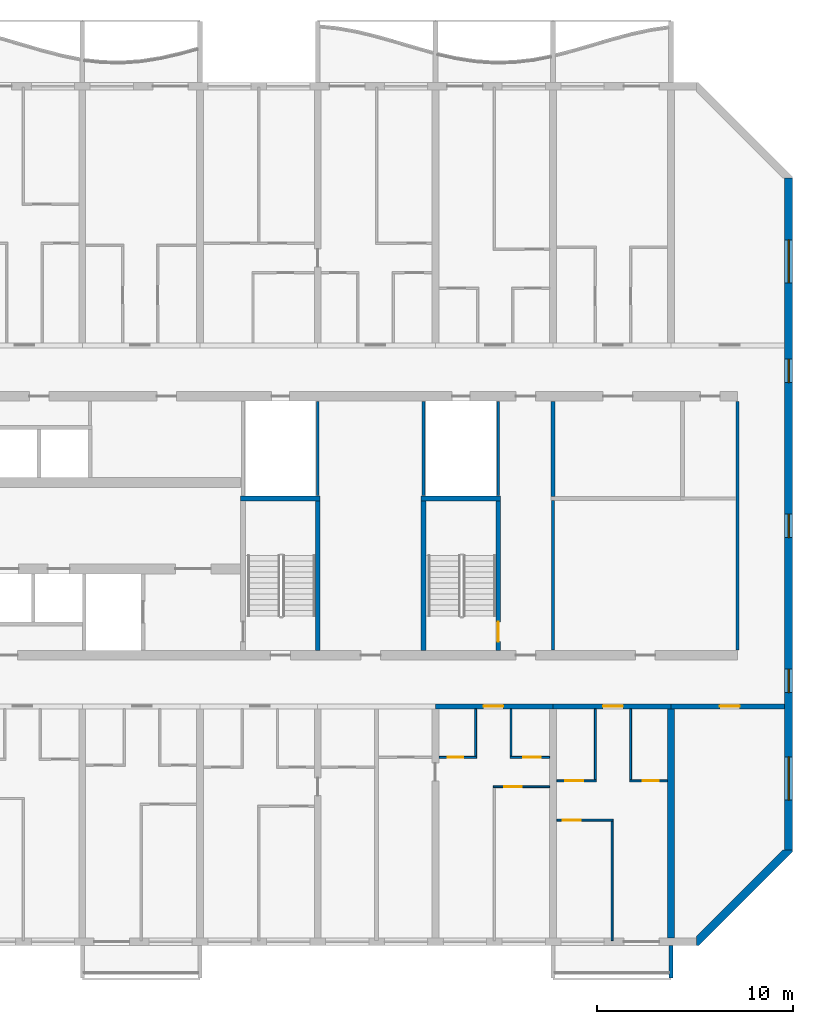
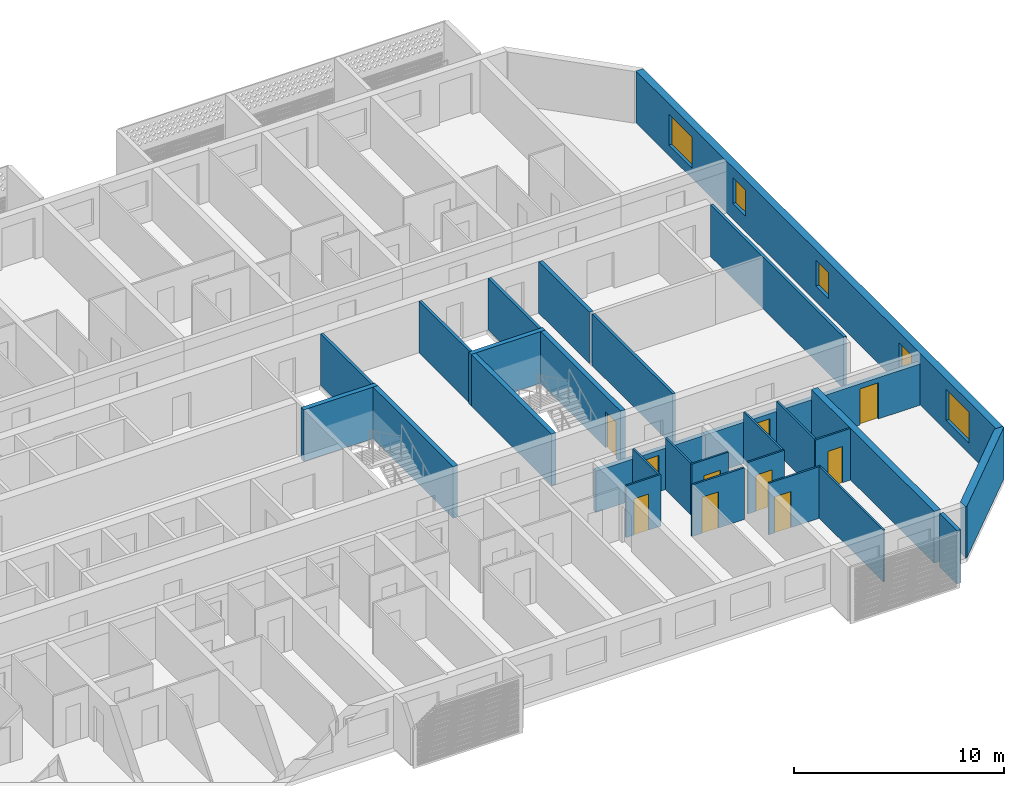
# One storey, part 13 of 24: 29 walls, 10 doors, 5 windows, 15 openings.
"""IFC4 building model written with IfcOpenShell, lengths in metres."""

from ifc_helpers import new_model, si_unit, direction, frame, frame_2d, origin, place, context, subcontext, project, spatial, polyline, rectangle, outline, extrude, source, transform, mapped, material, layer, layer_set, type_object, element, fill, save


model = new_model("IFC4")

# Units and contexts
model_context = context("Model", 3, precision=1e-05, world=origin(), true_north=direction((0.0, 1.0)))
body_context = subcontext(model_context, "Body", "Model", "MODEL_VIEW")
ifc_project = project(units=[si_unit("LENGTHUNIT", "METRE"), si_unit("AREAUNIT", "SQUARE_METRE"), si_unit("VOLUMEUNIT", "CUBIC_METRE"), si_unit("PLANEANGLEUNIT", "RADIAN"), si_unit("MASSUNIT", "GRAM", prefix="KILO")], contexts=[model_context])

# Site, building, storey
site_placement = place(None, origin())
site = spatial("IfcSite", under=ifc_project, at=site_placement, CompositionType="ELEMENT")
building_placement = place(site_placement, origin())
building = spatial("IfcBuilding", under=site, at=building_placement, Name="Poui Terraces", CompositionType="ELEMENT")
storey_placement = place(building_placement, frame((0.0, 0.0, 102.60009765625)))
storey = spatial("IfcBuildingStorey", under=building, at=storey_placement, Name="L28", CompositionType="ELEMENT", Elevation=102.60009765625)

# Walls
ifc_material_1 = material(Name="Fire-rated plasterboard wall")
ifc_layer_1 = layer(ifc_material_1, 0.14990234375)
ifc_layer_set_1 = layer_set([ifc_layer_1], Name="Fire-rated plasterboard wall")
wall_type_1 = type_object("IfcWallType", Name="CORRIDOR WALL 150", PredefinedType="PARTITIONING", material=ifc_layer_set_1)
wall_1_placement = place(storey_placement, frame((84.0, 14.860107421875, 0.0), z_axis=(0.0, 0.0, 1.0), x_axis=(0.0, 1.0, 0.0)))
element("IfcWall", 1, at=wall_1_placement, inside=storey, type_object=wall_type_1, Name="CORRIDOR WALL 150", PredefinedType="PARTITIONING", context=body_context, shape_type="SweptSolid", body=[
    extrude(rectangle(XDim=7.639892578125, YDim=0.14990234375, at=frame_2d((3.81982421875, 0.0))), origin(), (0.0, 0.0, 1.0), 3.0),
])
wall_2_placement = place(storey_placement, frame((93.39990234375, 14.860107421875, 0.0), z_axis=(0.0, 0.0, 1.0), x_axis=(0.0, 1.0, 0.0)))
element("IfcWall", 2, at=wall_2_placement, inside=storey, type_object=wall_type_1, Name="CORRIDOR WALL 150", PredefinedType="PARTITIONING", context=body_context, shape_type="SweptSolid", body=[
    extrude(rectangle(XDim=12.679931640625, YDim=0.14990234375, at=frame_2d((6.33984375, 0.0))), origin(), (0.0, 0.0, 1.0), 3.0),
])

# Wall, opening, door
ifc_material_2 = material(Name="Concrete 65 MPa", Category="concrete")
ifc_layer_2 = layer(ifc_material_2, 0.25)
ifc_layer_set_2 = layer_set([ifc_layer_2], Name="Concrete 65 MPa")
wall_type_2 = type_object("IfcWallType", Name="CORRIDOR WALL 250 65MPa", PredefinedType="SHEAR", material=ifc_layer_set_2)
wall_3_placement = place(storey_placement, frame((78.0, 12.0, 0.0), z_axis=(0.0, 0.0, 1.0), x_axis=(1.0, 0.0, 0.0)))
wall_3 = element("IfcWall", 3, at=wall_3_placement, inside=storey, type_object=wall_type_2, Name="CORRIDOR WALL LINE B BAY 13", PredefinedType="SHEAR", context=body_context, shape_type="SweptSolid", body=[
    extrude(rectangle(XDim=6.0, YDim=0.25, at=frame_2d((3.0, 0.0))), origin(), (0.0, 0.0, 1.0), 2.39990234375),
])
opening_1_placement = place(wall_3_placement, frame((2.449951171875, 0.0, 0.0)))
opening_1 = element("IfcOpeningElement", 4, at=opening_1_placement, cuts=wall_3, Name="Opening FD30S", PredefinedType="OPENING", context=body_context, shape_type="SweptSolid", body=[
    extrude(rectangle(XDim=1.0, YDim=2.10009765625, at=frame_2d((0.5, 1.050048828125))), frame((0.0, 0.135009765625, 0.0), z_axis=(0.0, -1.0, 0.0), x_axis=(1.0, 0.0, 0.0)), (0.0, 0.0, 1.0), 0.27001953125),
])
ifc_material_3 = material(Name="Steel fire door", Category="steel")
door_type_1 = type_object("IfcDoorType", Name="FLAT ENTRANCE DOOR 1000 X 2100", OperationType="NOTDEFINED", PredefinedType="DOOR", material=ifc_material_3)
door_1_placement = place(opening_1_placement, frame((1.0, 0.0, 0.0), z_axis=(0.0, 0.0, 1.0), x_axis=(-1.0, 0.0, 0.0)))
door_1 = element("IfcDoor", 5, at=door_1_placement, inside=storey, type_object=door_type_1, Name="FLAT ENTRANCE DOOR 124", OperationType="SINGLE_SWING_RIGHT", OverallHeight=2.10009765625, OverallWidth=1.0, PredefinedType="DOOR", context=body_context, shape_type="SweptSolid", body=[
    extrude(rectangle(XDim=1.0, YDim=2.10009765625, at=frame_2d((0.5, 1.050048828125))), frame((0.0, 0.02490234375, 0.0), z_axis=(0.0, -1.0, 0.0), x_axis=(1.0, 0.0, 0.0)), (0.0, 0.0, 1.0), 0.050048828125),
])
fill(opening_1, door_1)

wall_4_placement = place(storey_placement, frame((84.0, 12.0, 0.0), z_axis=(0.0, 0.0, 1.0), x_axis=(1.0, 0.0, 0.0)))
wall_4 = element("IfcWall", 6, at=wall_4_placement, inside=storey, type_object=wall_type_2, Name="CORRIDOR WALL LINE B BAY 14", PredefinedType="SHEAR", context=body_context, shape_type="SweptSolid", body=[
    extrude(rectangle(XDim=6.0, YDim=0.25, at=frame_2d((3.0, 0.0))), origin(), (0.0, 0.0, 1.0), 2.39990234375),
])
opening_2_placement = place(wall_4_placement, frame((2.550048828125, 0.0, 0.0)))
opening_2 = element("IfcOpeningElement", 7, at=opening_2_placement, cuts=wall_4, Name="Opening FD30S", PredefinedType="OPENING", context=body_context, shape_type="SweptSolid", body=[
    extrude(rectangle(XDim=1.0, YDim=2.10009765625, at=frame_2d((0.5, 1.050048828125))), frame((0.0, 0.135009765625, 0.0), z_axis=(0.0, -1.0, 0.0), x_axis=(1.0, 0.0, 0.0)), (0.0, 0.0, 1.0), 0.27001953125),
])
door_2_placement = place(opening_2_placement, frame((1.0, 0.0, 0.0), z_axis=(0.0, 0.0, 1.0), x_axis=(-1.0, 0.0, 0.0)))
door_2 = element("IfcDoor", 8, at=door_2_placement, inside=storey, type_object=door_type_1, Name="FLAT ENTRANCE DOOR 129", OperationType="SINGLE_SWING_LEFT", OverallHeight=2.10009765625, OverallWidth=1.0, PredefinedType="DOOR", context=body_context, shape_type="SweptSolid", body=[
    extrude(rectangle(XDim=1.0, YDim=2.10009765625, at=frame_2d((0.5, 1.050048828125))), frame((0.0, 0.02490234375, 0.0), z_axis=(0.0, -1.0, 0.0), x_axis=(1.0, 0.0, 0.0)), (0.0, 0.0, 1.0), 0.050048828125),
])
fill(opening_2, door_2)

wall_5_placement = place(storey_placement, frame((90.0, 12.0, 0.0), z_axis=(0.0, 0.0, 1.0), x_axis=(1.0, 0.0, 0.0)))
wall_5 = element("IfcWall", 9, at=wall_5_placement, inside=storey, type_object=wall_type_2, Name="CORRIDOR WALL LINE B BAY 15", PredefinedType="SHEAR", context=body_context, shape_type="SweptSolid", body=[
    extrude(rectangle(XDim=5.800048828125, YDim=0.25, at=frame_2d((2.89990234375, 0.0))), origin(), (0.0, 0.0, 1.0), 2.39990234375),
])
opening_3_placement = place(wall_5_placement, frame((2.5, 0.0, 0.0)))
opening_3 = element("IfcOpeningElement", 10, at=opening_3_placement, cuts=wall_5, Name="Opening D100", PredefinedType="OPENING", context=body_context, shape_type="SweptSolid", body=[
    extrude(rectangle(XDim=1.0, YDim=2.10009765625, at=frame_2d((0.5, 1.050048828125))), frame((0.0, 0.135009765625, 0.0), z_axis=(0.0, -1.0, 0.0), x_axis=(1.0, 0.0, 0.0)), (0.0, 0.0, 1.0), 0.27001953125),
])
ifc_material_4 = material(Name="Solid core timber door", Category="wood")
door_type_2 = type_object("IfcDoorType", Name="ACCESSIBLE INTERNAL DOOR 1000 X 2100", OperationType="NOTDEFINED", PredefinedType="DOOR", material=ifc_material_4)
door_3_placement = place(opening_3_placement, frame((1.0, 0.0, 0.0), z_axis=(0.0, 0.0, 1.0), x_axis=(-1.0, 0.0, 0.0)))
door_3 = element("IfcDoor", 11, at=door_3_placement, inside=storey, type_object=door_type_2, Name="ACCESSIBLE INTERNAL DOOR 131", OperationType="SINGLE_SWING_RIGHT", OverallHeight=2.10009765625, OverallWidth=1.0, PredefinedType="DOOR", context=body_context, shape_type="SweptSolid", body=[
    extrude(rectangle(XDim=1.0, YDim=2.10009765625, at=frame_2d((0.5, 1.050048828125))), frame((0.0, 0.02490234375, 0.0), z_axis=(0.0, -1.0, 0.0), x_axis=(1.0, 0.0, 0.0)), (0.0, 0.0, 1.0), 0.050048828125),
])
fill(opening_3, door_3)

# Wall
ifc_layer_3 = layer(ifc_material_2, 0.35009765625)
ifc_layer_set_3 = layer_set([ifc_layer_3], Name="Concrete 65 MPa")
wall_type_3 = type_object("IfcWallType", Name="CROSS WALL 350 65MPa", PredefinedType="SHEAR", material=ifc_layer_set_3)
wall_6_placement = place(storey_placement, frame((90.0, 0.199951171875, 0.0), z_axis=(0.0, 0.0, 1.0), x_axis=(0.0, 1.0, 0.0)))
element("IfcWall", 12, at=wall_6_placement, inside=storey, type_object=wall_type_3, Name="CROSS WALL LINE 16 SOUTH", PredefinedType="SHEAR", context=body_context, shape_type="SweptSolid", body=[
    extrude(rectangle(XDim=11.675048828125, YDim=0.35009765625, at=frame_2d((5.83740234375, 0.0))), origin(), (0.0, 0.0, 1.0), 3.0),
])

# Wall, openings, windows
ifc_layer_4 = layer(ifc_material_2, 0.39990234375)
ifc_layer_set_4 = layer_set([ifc_layer_4], Name="Concrete 65 MPa")
wall_type_4 = type_object("IfcWallType", Name="END WALL 400 65MPa", PredefinedType="SHEAR", material=ifc_layer_set_4)
wall_7_placement = place(storey_placement, frame((96.0, 4.682861328125, 0.0), z_axis=(0.0, 0.0, 1.0), x_axis=(0.0, 1.0, 0.0)))
wall_7 = element("IfcWall", 13, at=wall_7_placement, inside=storey, type_object=wall_type_4, Name="END WALL EAST", PredefinedType="SHEAR", context=body_context, shape_type="SweptSolid", body=[
    extrude(rectangle(XDim=34.234375, YDim=0.39990234375, at=frame_2d((17.1171875, 0.0))), origin(), (0.0, 0.0, 1.0), 3.0),
])
opening_4_placement = place(wall_7_placement, frame((15.917236328125, 0.0, 0.89990234375)))
opening_4 = element("IfcOpeningElement", 14, at=opening_4_placement, cuts=wall_7, Name="Opening W2", PredefinedType="OPENING", context=body_context, shape_type="SweptSolid", body=[
    extrude(rectangle(XDim=1.199951171875, YDim=1.5, at=frame_2d((0.60009765625, 0.75))), frame((0.0, 0.2099609375, 0.0), z_axis=(0.0, -1.0, 0.0), x_axis=(1.0, 0.0, 0.0)), (0.0, 0.0, 1.0), 0.419921875),
])
opening_5_placement = place(wall_7_placement, frame((23.817138671875, 0.0, 0.89990234375)))
opening_5 = element("IfcOpeningElement", 15, at=opening_5_placement, cuts=wall_7, Name="Opening W2", PredefinedType="OPENING", context=body_context, shape_type="SweptSolid", body=[
    extrude(rectangle(XDim=1.199951171875, YDim=1.5, at=frame_2d((0.60009765625, 0.75))), frame((0.0, 0.2099609375, 0.0), z_axis=(0.0, -1.0, 0.0), x_axis=(1.0, 0.0, 0.0)), (0.0, 0.0, 1.0), 0.419921875),
])
opening_6_placement = place(wall_7_placement, frame((8.01708984375, 0.0, 0.89990234375)))
opening_6 = element("IfcOpeningElement", 16, at=opening_6_placement, cuts=wall_7, Name="Opening W2", PredefinedType="OPENING", context=body_context, shape_type="SweptSolid", body=[
    extrude(rectangle(XDim=1.199951171875, YDim=1.5, at=frame_2d((0.60009765625, 0.75))), frame((0.0, 0.2099609375, 0.0), z_axis=(0.0, -1.0, 0.0), x_axis=(1.0, 0.0, 0.0)), (0.0, 0.0, 1.0), 0.419921875),
])
opening_7_placement = place(wall_7_placement, frame((28.8935546875, 0.0, 0.60009765625)))
opening_7 = element("IfcOpeningElement", 17, at=opening_7_placement, cuts=wall_7, Name="Opening W3", PredefinedType="OPENING", context=body_context, shape_type="SweptSolid", body=[
    extrude(rectangle(XDim=2.199951171875, YDim=1.800048828125, at=frame_2d((1.10009765625, 0.89990234375))), frame((0.0, 0.2099609375, 0.0), z_axis=(0.0, -1.0, 0.0), x_axis=(1.0, 0.0, 0.0)), (0.0, 0.0, 1.0), 0.419921875),
])
opening_8_placement = place(wall_7_placement, frame((2.541015625, 0.0, 0.60009765625)))
opening_8 = element("IfcOpeningElement", 18, at=opening_8_placement, cuts=wall_7, Name="Opening W3", PredefinedType="OPENING", context=body_context, shape_type="SweptSolid", body=[
    extrude(rectangle(XDim=2.199951171875, YDim=1.800048828125, at=frame_2d((1.10009765625, 0.89990234375))), frame((0.0, 0.2099609375, 0.0), z_axis=(0.0, -1.0, 0.0), x_axis=(1.0, 0.0, 0.0)), (0.0, 0.0, 1.0), 0.419921875),
])
ifc_material_5 = material(Name="Clear glass in aluminium frame", Category="aluminium")
window_type_1 = type_object("IfcWindowType", Name="WINDOW 1200X1500", PartitioningType="SINGLE_PANEL", PredefinedType="WINDOW", material=ifc_material_5)
window_1_placement = place(opening_4_placement, origin())
window_1 = element("IfcWindow", 19, at=window_1_placement, inside=storey, type_object=window_type_1, Name="W2 WINDOW", OverallHeight=1.5, OverallWidth=1.199951171875, PartitioningType="SINGLE_PANEL", PredefinedType="WINDOW", context=body_context, shape_type="SweptSolid", body=[
    extrude(rectangle(XDim=1.199951171875, YDim=1.5, at=frame_2d((0.60009765625, 0.75))), frame((0.0, 0.030029296875, 0.0), z_axis=(0.0, -1.0, 0.0), x_axis=(1.0, 0.0, 0.0)), (0.0, 0.0, 1.0), 0.06005859375),
])
fill(opening_4, window_1)
window_2_placement = place(opening_5_placement, origin())
window_2 = element("IfcWindow", 20, at=window_2_placement, inside=storey, type_object=window_type_1, Name="W2 WINDOW", OverallHeight=1.5, OverallWidth=1.199951171875, PartitioningType="SINGLE_PANEL", PredefinedType="WINDOW", context=body_context, shape_type="SweptSolid", body=[
    extrude(rectangle(XDim=1.199951171875, YDim=1.5, at=frame_2d((0.60009765625, 0.75))), frame((0.0, 0.030029296875, 0.0), z_axis=(0.0, -1.0, 0.0), x_axis=(1.0, 0.0, 0.0)), (0.0, 0.0, 1.0), 0.06005859375),
])
fill(opening_5, window_2)
window_3_placement = place(opening_6_placement, origin())
window_3 = element("IfcWindow", 21, at=window_3_placement, inside=storey, type_object=window_type_1, Name="W2 WINDOW", OverallHeight=1.5, OverallWidth=1.199951171875, PartitioningType="SINGLE_PANEL", PredefinedType="WINDOW", context=body_context, shape_type="SweptSolid", body=[
    extrude(rectangle(XDim=1.199951171875, YDim=1.5, at=frame_2d((0.60009765625, 0.75))), frame((0.0, 0.030029296875, 0.0), z_axis=(0.0, -1.0, 0.0), x_axis=(1.0, 0.0, 0.0)), (0.0, 0.0, 1.0), 0.06005859375),
])
fill(opening_6, window_3)
window_type_2 = type_object("IfcWindowType", Name="WINDOW 2200X1800", PartitioningType="DOUBLE_PANEL_HORIZONTAL", PredefinedType="WINDOW", material=ifc_material_5)
window_4_placement = place(opening_7_placement, origin())
window_4 = element("IfcWindow", 22, at=window_4_placement, inside=storey, type_object=window_type_2, Name="W3 WINDOW", OverallHeight=1.800048828125, OverallWidth=2.199951171875, PartitioningType="DOUBLE_PANEL_HORIZONTAL", PredefinedType="WINDOW", context=body_context, shape_type="SweptSolid", body=[
    extrude(rectangle(XDim=2.199951171875, YDim=1.800048828125, at=frame_2d((1.10009765625, 0.89990234375))), frame((0.0, 0.030029296875, 0.0), z_axis=(0.0, -1.0, 0.0), x_axis=(1.0, 0.0, 0.0)), (0.0, 0.0, 1.0), 0.06005859375),
])
fill(opening_7, window_4)
window_5_placement = place(opening_8_placement, origin())
window_5 = element("IfcWindow", 23, at=window_5_placement, inside=storey, type_object=window_type_2, Name="W3 WINDOW", OverallHeight=1.800048828125, OverallWidth=2.199951171875, PartitioningType="DOUBLE_PANEL_HORIZONTAL", PredefinedType="WINDOW", context=body_context, shape_type="SweptSolid", body=[
    extrude(rectangle(XDim=2.199951171875, YDim=1.800048828125, at=frame_2d((1.10009765625, 0.89990234375))), frame((0.0, 0.030029296875, 0.0), z_axis=(0.0, -1.0, 0.0), x_axis=(1.0, 0.0, 0.0)), (0.0, 0.0, 1.0), 0.06005859375),
])
fill(opening_8, window_5)

# Wall, opening, door
ifc_material_6 = material(Name="Plasterboard partition")
ifc_layer_5 = layer(ifc_material_6, 0.10009765625)
ifc_layer_set_5 = layer_set([ifc_layer_5], Name="Plasterboard partition")
wall_type_5 = type_object("IfcWallType", Name="FLAT PARTITION 100", PredefinedType="PARTITIONING", material=ifc_layer_set_5)
wall_8_placement = place(storey_placement, frame((84.18505859375, 6.199951171875, 0.0), z_axis=(0.0, 0.0, 1.0), x_axis=(1.0, 0.0, 0.0)))
wall_8 = element("IfcWall", 24, at=wall_8_placement, inside=storey, type_object=wall_type_5, Name="FLAT PARTITION 100", PredefinedType="PARTITIONING", context=body_context, shape_type="SweptSolid", body=[
    extrude(rectangle(XDim=2.864990234375, YDim=0.10009765625, at=frame_2d((1.4326171875, 0.0))), origin(), (0.0, 0.0, 1.0), 3.0),
])
opening_9_placement = place(wall_8_placement, frame((0.31494140625, 0.0, 0.0)))
opening_9 = element("IfcOpeningElement", 25, at=opening_9_placement, cuts=wall_8, Name="Opening D90", PredefinedType="OPENING", context=body_context, shape_type="SweptSolid", body=[
    extrude(rectangle(XDim=0.89990234375, YDim=2.10009765625, at=frame_2d((0.449951171875, 1.050048828125))), frame((0.0, 0.06005859375, 0.0), z_axis=(0.0, -1.0, 0.0), x_axis=(1.0, 0.0, 0.0)), (0.0, 0.0, 1.0), 0.1201171875),
])
door_type_3 = type_object("IfcDoorType", Name="INTERNAL DOOR 900 X 2100", OperationType="NOTDEFINED", PredefinedType="DOOR", material=ifc_material_4)
door_4_placement = place(opening_9_placement, origin())
door_4 = element("IfcDoor", 26, at=door_4_placement, inside=storey, type_object=door_type_3, Name="INTERNAL DOOR 127", OperationType="SINGLE_SWING_RIGHT", OverallHeight=2.10009765625, OverallWidth=0.89990234375, PredefinedType="DOOR", context=body_context, shape_type="SweptSolid", body=[
    extrude(rectangle(XDim=0.89990234375, YDim=2.10009765625, at=frame_2d((0.449951171875, 1.050048828125))), frame((0.0, 0.02490234375, 0.0), z_axis=(0.0, -1.0, 0.0), x_axis=(1.0, 0.0, 0.0)), (0.0, 0.0, 1.0), 0.050048828125),
])
fill(opening_9, door_4)

wall_9_placement = place(storey_placement, frame((80.949951171875, 7.89990234375, 0.0), z_axis=(0.0, 0.0, 1.0), x_axis=(1.0, 0.0, 0.0)))
wall_9 = element("IfcWall", 27, at=wall_9_placement, inside=storey, type_object=wall_type_5, Name="FLAT PARTITION 100", PredefinedType="PARTITIONING", context=body_context, shape_type="SweptSolid", body=[
    extrude(rectangle(XDim=2.864990234375, YDim=0.10009765625, at=frame_2d((1.4326171875, 0.0))), origin(), (0.0, 0.0, 1.0), 3.0),
])
opening_10_placement = place(wall_9_placement, frame((0.550048828125, 0.0, 0.0)))
opening_10 = element("IfcOpeningElement", 28, at=opening_10_placement, cuts=wall_9, Name="Opening D90", PredefinedType="OPENING", context=body_context, shape_type="SweptSolid", body=[
    extrude(rectangle(XDim=0.89990234375, YDim=2.10009765625, at=frame_2d((0.449951171875, 1.050048828125))), frame((0.0, 0.06005859375, 0.0), z_axis=(0.0, -1.0, 0.0), x_axis=(1.0, 0.0, 0.0)), (0.0, 0.0, 1.0), 0.1201171875),
])
door_5_placement = place(opening_10_placement, origin())
door_5 = element("IfcDoor", 29, at=door_5_placement, inside=storey, type_object=door_type_3, Name="INTERNAL DOOR 125", OperationType="SINGLE_SWING_RIGHT", OverallHeight=2.10009765625, OverallWidth=0.89990234375, PredefinedType="DOOR", context=body_context, shape_type="SweptSolid", body=[
    extrude(rectangle(XDim=0.89990234375, YDim=2.10009765625, at=frame_2d((0.449951171875, 1.050048828125))), frame((0.0, 0.02490234375, 0.0), z_axis=(0.0, -1.0, 0.0), x_axis=(1.0, 0.0, 0.0)), (0.0, 0.0, 1.0), 0.050048828125),
])
fill(opening_10, door_5)

wall_10_placement = place(storey_placement, frame((84.18505859375, 8.199951171875, 0.0), z_axis=(0.0, 0.0, 1.0), x_axis=(1.0, 0.0, 0.0)))
wall_10 = element("IfcWall", 30, at=wall_10_placement, inside=storey, type_object=wall_type_5, Name="FLAT PARTITION 100", PredefinedType="PARTITIONING", context=body_context, shape_type="SweptSolid", body=[
    extrude(rectangle(XDim=2.014892578125, YDim=0.10009765625, at=frame_2d((1.00732421875, 0.0))), origin(), (0.0, 0.0, 1.0), 3.0),
])
opening_11_placement = place(wall_10_placement, frame((0.43994140625, 0.0, 0.0)))
opening_11 = element("IfcOpeningElement", 31, at=opening_11_placement, cuts=wall_10, Name="Opening D90", PredefinedType="OPENING", context=body_context, shape_type="SweptSolid", body=[
    extrude(rectangle(XDim=0.89990234375, YDim=2.10009765625, at=frame_2d((0.449951171875, 1.050048828125))), frame((0.0, 0.06005859375, 0.0), z_axis=(0.0, -1.0, 0.0), x_axis=(1.0, 0.0, 0.0)), (0.0, 0.0, 1.0), 0.1201171875),
])
door_6_placement = place(opening_11_placement, origin())
door_6 = element("IfcDoor", 32, at=door_6_placement, inside=storey, type_object=door_type_3, Name="INTERNAL DOOR 128", OperationType="SINGLE_SWING_LEFT", OverallHeight=2.10009765625, OverallWidth=0.89990234375, PredefinedType="DOOR", context=body_context, shape_type="SweptSolid", body=[
    extrude(rectangle(XDim=0.89990234375, YDim=2.10009765625, at=frame_2d((0.449951171875, 1.050048828125))), frame((0.0, 0.02490234375, 0.0), z_axis=(0.0, -1.0, 0.0), x_axis=(1.0, 0.0, 0.0)), (0.0, 0.0, 1.0), 0.050048828125),
])
fill(opening_11, door_6)

wall_11_placement = place(storey_placement, frame((87.89990234375, 8.199951171875, 0.0), z_axis=(0.0, 0.0, 1.0), x_axis=(1.0, 0.0, 0.0)))
wall_11 = element("IfcWall", 33, at=wall_11_placement, inside=storey, type_object=wall_type_5, Name="FLAT PARTITION 100", PredefinedType="PARTITIONING", context=body_context, shape_type="SweptSolid", body=[
    extrude(rectangle(XDim=1.9150390625, YDim=0.10009765625, at=frame_2d((0.95751953125, 0.0))), origin(), (0.0, 0.0, 1.0), 3.0),
])
opening_12_placement = place(wall_11_placement, frame((0.675048828125, 0.0, 0.0)))
opening_12 = element("IfcOpeningElement", 34, at=opening_12_placement, cuts=wall_11, Name="Opening D80", PredefinedType="OPENING", context=body_context, shape_type="SweptSolid", body=[
    extrude(rectangle(XDim=0.800048828125, YDim=2.10009765625, at=frame_2d((0.39990234375, 1.050048828125))), frame((0.0, 0.06005859375, 0.0), z_axis=(0.0, -1.0, 0.0), x_axis=(1.0, 0.0, 0.0)), (0.0, 0.0, 1.0), 0.1201171875),
])
door_type_4 = type_object("IfcDoorType", Name="BATHROOM, LAUNDRY AND STORE DOOR 800 X 2100", OperationType="NOTDEFINED", PredefinedType="DOOR", material=ifc_material_4)
door_7_placement = place(opening_12_placement, origin())
door_7 = element("IfcDoor", 35, at=door_7_placement, inside=storey, type_object=door_type_4, Name="BATHROOM, LAUNDRY AND STORE DOOR 130", OperationType="SINGLE_SWING_RIGHT", OverallHeight=2.10009765625, OverallWidth=0.800048828125, PredefinedType="DOOR", context=body_context, shape_type="SweptSolid", body=[
    extrude(rectangle(XDim=0.800048828125, YDim=2.10009765625, at=frame_2d((0.39990234375, 1.050048828125))), frame((0.0, 0.02490234375, 0.0), z_axis=(0.0, -1.0, 0.0), x_axis=(1.0, 0.0, 0.0)), (0.0, 0.0, 1.0), 0.050048828125),
])
fill(opening_12, door_7)

wall_12_placement = place(storey_placement, frame((78.18505859375, 9.39990234375, 0.0), z_axis=(0.0, 0.0, 1.0), x_axis=(1.0, 0.0, 0.0)))
wall_12 = element("IfcWall", 36, at=wall_12_placement, inside=storey, type_object=wall_type_5, Name="FLAT PARTITION 100", PredefinedType="PARTITIONING", context=body_context, shape_type="SweptSolid", body=[
    extrude(rectangle(XDim=1.9150390625, YDim=0.10009765625, at=frame_2d((0.95751953125, 0.0))), origin(), (0.0, 0.0, 1.0), 3.0),
])
opening_13_placement = place(wall_12_placement, frame((0.43994140625, 0.0, 0.0)))
opening_13 = element("IfcOpeningElement", 37, at=opening_13_placement, cuts=wall_12, Name="Opening D80", PredefinedType="OPENING", context=body_context, shape_type="SweptSolid", body=[
    extrude(rectangle(XDim=0.800048828125, YDim=2.10009765625, at=frame_2d((0.39990234375, 1.050048828125))), frame((0.0, 0.06005859375, 0.0), z_axis=(0.0, -1.0, 0.0), x_axis=(1.0, 0.0, 0.0)), (0.0, 0.0, 1.0), 0.1201171875),
])
door_8_placement = place(opening_13_placement, origin())
door_8 = element("IfcDoor", 38, at=door_8_placement, inside=storey, type_object=door_type_4, Name="BATHROOM, LAUNDRY AND STORE DOOR 123", OperationType="SINGLE_SWING_RIGHT", OverallHeight=2.10009765625, OverallWidth=0.800048828125, PredefinedType="DOOR", context=body_context, shape_type="SweptSolid", body=[
    extrude(rectangle(XDim=0.800048828125, YDim=2.10009765625, at=frame_2d((0.39990234375, 1.050048828125))), frame((0.0, 0.02490234375, 0.0), z_axis=(0.0, -1.0, 0.0), x_axis=(1.0, 0.0, 0.0)), (0.0, 0.0, 1.0), 0.050048828125),
])
fill(opening_13, door_8)

wall_13_placement = place(storey_placement, frame((81.800048828125, 9.39990234375, 0.0), z_axis=(0.0, 0.0, 1.0), x_axis=(1.0, 0.0, 0.0)))
wall_13 = element("IfcWall", 39, at=wall_13_placement, inside=storey, type_object=wall_type_5, Name="FLAT PARTITION 100", PredefinedType="PARTITIONING", context=body_context, shape_type="SweptSolid", body=[
    extrude(rectangle(XDim=2.014892578125, YDim=0.10009765625, at=frame_2d((1.00732421875, 0.0))), origin(), (0.0, 0.0, 1.0), 3.0),
])
opening_14_placement = place(wall_13_placement, frame((0.675048828125, 0.0, 0.0)))
opening_14 = element("IfcOpeningElement", 40, at=opening_14_placement, cuts=wall_13, Name="Opening D90", PredefinedType="OPENING", context=body_context, shape_type="SweptSolid", body=[
    extrude(rectangle(XDim=0.89990234375, YDim=2.10009765625, at=frame_2d((0.449951171875, 1.050048828125))), frame((0.0, 0.06005859375, 0.0), z_axis=(0.0, -1.0, 0.0), x_axis=(1.0, 0.0, 0.0)), (0.0, 0.0, 1.0), 0.1201171875),
])
door_9_placement = place(opening_14_placement, origin())
door_9 = element("IfcDoor", 41, at=door_9_placement, inside=storey, type_object=door_type_3, Name="INTERNAL DOOR 126", OperationType="SINGLE_SWING_LEFT", OverallHeight=2.10009765625, OverallWidth=0.89990234375, PredefinedType="DOOR", context=body_context, shape_type="SweptSolid", body=[
    extrude(rectangle(XDim=0.89990234375, YDim=2.10009765625, at=frame_2d((0.449951171875, 1.050048828125))), frame((0.0, 0.02490234375, 0.0), z_axis=(0.0, -1.0, 0.0), x_axis=(1.0, 0.0, 0.0)), (0.0, 0.0, 1.0), 0.050048828125),
])
fill(opening_14, door_9)

# Walls
for number, where, z_axis, x_axis, name in (
    (42, (80.050048828125, 9.449951171875, 0.0), (0.0, 0.0, 1.0), (0.0, 1.0, 0.0), "FLAT PARTITION 100"),
    (43, (81.85009765625, 9.449951171875, 0.0), (0.0, 0.0, 1.0), (0.0, 1.0, 0.0), "FLAT PARTITION 100"),
):
    element("IfcWall", number, at=place(storey_placement, frame(where, z_axis=z_axis, x_axis=x_axis)), inside=storey, type_object=wall_type_5, Name=name, PredefinedType="PARTITIONING", context=body_context, shape_type="SweptSolid", body=[
        extrude(rectangle(XDim=2.4150390625, YDim=0.10009765625, at=frame_2d((1.20751953125, 0.0))), origin(), (0.0, 0.0, 1.0), 3.0),
    ])
wall_14_placement = place(storey_placement, frame((86.14990234375, 8.25, 0.0), z_axis=(0.0, 0.0, 1.0), x_axis=(0.0, 1.0, 0.0)))
element("IfcWall", 44, at=wall_14_placement, inside=storey, type_object=wall_type_5, Name="FLAT PARTITION 100", PredefinedType="PARTITIONING", context=body_context, shape_type="SweptSolid", body=[
    extrude(rectangle(XDim=3.614990234375, YDim=0.10009765625, at=frame_2d((1.8076171875, 0.0))), origin(), (0.0, 0.0, 1.0), 3.0),
])
wall_15_placement = place(storey_placement, frame((87.0, 0.06005859375, 0.0), z_axis=(0.0, 0.0, 1.0), x_axis=(0.0, 1.0, 0.0)))
element("IfcWall", 45, at=wall_15_placement, inside=storey, type_object=wall_type_5, Name="FLAT PARTITION 100", PredefinedType="PARTITIONING", context=body_context, shape_type="SweptSolid", body=[
    extrude(rectangle(XDim=6.08984375, YDim=0.10009765625, at=frame_2d((3.044921875, 0.0))), origin(), (0.0, 0.0, 1.0), 3.0),
])
wall_16_placement = place(storey_placement, frame((87.949951171875, 8.25, 0.0), z_axis=(0.0, 0.0, 1.0), x_axis=(0.0, 1.0, 0.0)))
element("IfcWall", 46, at=wall_16_placement, inside=storey, type_object=wall_type_5, Name="FLAT PARTITION 100", PredefinedType="PARTITIONING", context=body_context, shape_type="SweptSolid", body=[
    extrude(rectangle(XDim=3.614990234375, YDim=0.10009765625, at=frame_2d((1.8076171875, 0.0))), origin(), (0.0, 0.0, 1.0), 3.0),
])
ifc_material_7 = material(Name="Fire-rated masonry wall", Category="masonry")
ifc_layer_6 = layer(ifc_material_7, 0.199951171875)
ifc_layer_set_6 = layer_set([ifc_layer_6], Name="Fire-rated masonry wall")
wall_type_6 = type_object("IfcWallType", Name="PLANT ROOM WALL 200", PredefinedType="PARTITIONING", material=ifc_layer_set_6)
wall_17_placement = place(storey_placement, frame((84.0, 22.699951171875, 0.0), z_axis=(0.0, 0.0, 1.0), x_axis=(0.0, 1.0, 0.0)))
element("IfcWall", 47, at=wall_17_placement, inside=storey, type_object=wall_type_6, Name="PLANT ROOM WALL 200", PredefinedType="PARTITIONING", context=body_context, shape_type="SweptSolid", body=[
    extrude(rectangle(XDim=4.840087890625, YDim=0.199951171875, at=frame_2d((2.419921875, 0.0))), origin(), (0.0, 0.0, 1.0), 3.0),
])
ifc_material_8 = material(Name="Fire-rated plasterboard riser wall")
ifc_layer_7 = layer(ifc_material_8, 0.14990234375)
ifc_layer_set_7 = layer_set([ifc_layer_7], Name="Fire-rated plasterboard riser wall")
wall_type_7 = type_object("IfcWallType", Name="RISER WALL 150", PredefinedType="PARTITIONING", material=ifc_layer_set_7)
for number, where, z_axis, x_axis, name in (
    (48, (72.0, 22.735107421875, 0.0), (0.0, 0.0, 1.0), (0.0, 1.0, 0.0), "RISER WALL 150"),
    (49, (77.39990234375, 22.735107421875, 0.0), (0.0, 0.0, 1.0), (0.0, 1.0, 0.0), "RISER WALL 150"),
    (50, (81.199951171875, 22.735107421875, 0.0), (0.0, 0.0, 1.0), (0.0, 1.0, 0.0), "RISER WALL 150"),
):
    element("IfcWall", number, at=place(storey_placement, frame(where, z_axis=z_axis, x_axis=x_axis)), inside=storey, type_object=wall_type_7, Name=name, PredefinedType="PARTITIONING", context=body_context, shape_type="SweptSolid", body=[
        extrude(rectangle(XDim=4.804931640625, YDim=0.14990234375, at=frame_2d((2.40234375, 0.0))), origin(), (0.0, 0.0, 1.0), 3.0),
    ])
ifc_layer_8 = layer(ifc_material_2, 0.25)
ifc_layer_set_8 = layer_set([ifc_layer_8], Name="Concrete 65 MPa")
wall_type_8 = type_object("IfcWallType", Name="STAIR CORE WALL 250 65 MPA", PredefinedType="SOLIDWALL", material=ifc_layer_set_8)
wall_18_placement = place(storey_placement, frame((72.0, 14.85009765625, 0.0), z_axis=(0.0, 0.0, 1.0), x_axis=(0.0, 1.0, 0.0)))
element("IfcWall", 51, at=wall_18_placement, inside=storey, type_object=wall_type_8, Name="STAIR CORE WALL", PredefinedType="SOLIDWALL", context=body_context, shape_type="SweptSolid", body=[
    extrude(rectangle(XDim=7.625, YDim=0.25, at=frame_2d((3.8125, 0.0))), origin(), (0.0, 0.0, 1.0), 3.0),
])
wall_19_placement = place(storey_placement, frame((68.074951171875, 22.60009765625, 0.0), z_axis=(0.0, 0.0, 1.0), x_axis=(1.0, 0.0, 0.0)))
element("IfcWall", 52, at=wall_19_placement, inside=storey, type_object=wall_type_8, Name="STAIR CORE WALL", PredefinedType="SOLIDWALL", context=body_context, shape_type="SweptSolid", body=[
    extrude(rectangle(XDim=4.050048828125, YDim=0.25, at=frame_2d((2.02490234375, 0.0))), origin(), (0.0, 0.0, 1.0), 3.0),
])
wall_20_placement = place(storey_placement, frame((77.39990234375, 14.85009765625, 0.0), z_axis=(0.0, 0.0, 1.0), x_axis=(0.0, 1.0, 0.0)))
element("IfcWall", 53, at=wall_20_placement, inside=storey, type_object=wall_type_8, Name="STAIR CORE WALL", PredefinedType="SOLIDWALL", context=body_context, shape_type="SweptSolid", body=[
    extrude(rectangle(XDim=7.625, YDim=0.25, at=frame_2d((3.8125, 0.0))), origin(), (0.0, 0.0, 1.0), 3.0),
])

# Wall, opening, door
wall_21_placement = place(storey_placement, frame((81.199951171875, 14.85009765625, 0.0), z_axis=(0.0, 0.0, 1.0), x_axis=(0.0, 1.0, 0.0)))
wall_21 = element("IfcWall", 54, at=wall_21_placement, inside=storey, type_object=wall_type_8, Name="STAIR CORE WALL", PredefinedType="SOLIDWALL", context=body_context, shape_type="SweptSolid", body=[
    extrude(rectangle(XDim=7.625, YDim=0.25, at=frame_2d((3.8125, 0.0))), origin(), (0.0, 0.0, 1.0), 3.0),
])
opening_15_placement = place(wall_21_placement, frame((0.449951171875, 0.0, 0.0)))
opening_15 = element("IfcOpeningElement", 55, at=opening_15_placement, cuts=wall_21, Name="Opening FD60S", PredefinedType="OPENING", context=body_context, shape_type="SweptSolid", body=[
    extrude(rectangle(XDim=1.0, YDim=2.10009765625, at=frame_2d((0.5, 1.050048828125))), frame((0.0, 0.135009765625, 0.0), z_axis=(0.0, -1.0, 0.0), x_axis=(1.0, 0.0, 0.0)), (0.0, 0.0, 1.0), 0.27001953125),
])
door_type_5 = type_object("IfcDoorType", Name="STAIR DOOR 1000 X 2100", OperationType="NOTDEFINED", PredefinedType="DOOR", material=ifc_material_3)
door_10_placement = place(opening_15_placement, origin())
door_10 = element("IfcDoor", 56, at=door_10_placement, inside=storey, type_object=door_type_5, Name="STAIR DOOR 147", OperationType="SINGLE_SWING_LEFT", OverallHeight=2.10009765625, OverallWidth=1.0, PredefinedType="DOOR", context=body_context, shape_type="SweptSolid", body=[
    extrude(rectangle(XDim=1.0, YDim=2.10009765625, at=frame_2d((0.5, 1.050048828125))), frame((0.0, 0.02490234375, 0.0), z_axis=(0.0, -1.0, 0.0), x_axis=(1.0, 0.0, 0.0)), (0.0, 0.0, 1.0), 0.050048828125),
])
fill(opening_15, door_10)

# Walls
wall_22_placement = place(storey_placement, frame((77.27490234375, 22.60009765625, 0.0), z_axis=(0.0, 0.0, 1.0), x_axis=(1.0, 0.0, 0.0)))
element("IfcWall", 57, at=wall_22_placement, inside=storey, type_object=wall_type_8, Name="STAIR CORE WALL", PredefinedType="SOLIDWALL", context=body_context, shape_type="SweptSolid", body=[
    extrude(rectangle(XDim=4.050048828125, YDim=0.25, at=frame_2d((2.02490234375, 0.0))), origin(), (0.0, 0.0, 1.0), 3.0),
])
ifc_material_9 = material(Name="Precast concrete 40 MPa", Category="concrete")
ifc_layer_9 = layer(ifc_material_9, 0.39990234375)
ifc_layer_set_9 = layer_set([ifc_layer_9], Name="Precast concrete 40 MPa")
wall_type_9 = type_object("IfcWallType", Name="TERRACOTTA CLAD CHAMFER WALL 400", PredefinedType="STANDARD", material=ifc_layer_set_9)
wall_23_placement = place(storey_placement, origin())
element("IfcWall", 58, at=wall_23_placement, inside=storey, type_object=wall_type_9, Name="CHAMFER WALL CH01", PredefinedType="STANDARD", context=body_context, shape_type="SweptSolid", body=[
    extrude(outline(polyline([(91.317138671875, -0.199951171875), (91.39990234375, -0.199951171875), (96.199951171875, 4.60009765625), (96.199951171875, 4.682861328125), (95.71728515625, 4.682861328125), (91.317138671875, 0.28271484375), (91.317138671875, -0.199951171875)])), origin(), (0.0, 0.0, 1.0), 3.0),
])
ifc_layer_10 = layer(ifc_material_9, 0.199951171875)
ifc_layer_set_10 = layer_set([ifc_layer_10], Name="Precast concrete 40 MPa")
wall_type_10 = type_object("IfcWallType", Name="REAR FIN 200", PredefinedType="STANDARD", material=ifc_layer_set_10)
shared_shape = source(origin(), body_context, "Body", "SweptSolid", [
    extrude(outline(polyline([(0.0, 0.0), (0.2001953125, 0.0), (0.2001953125, 1.650146484375), (0.0, 1.650146484375), (0.0, 0.0)])), origin(), (0.0, 0.0, 1.0), 3.099853515625),
])
wall_24_placement = place(storey_placement, frame((89.89990234375, -1.85009765625, 0.0)))
element("IfcWall", 59, at=wall_24_placement, inside=storey, type_object=wall_type_10, Name="REAR FIN", PredefinedType="STANDARD", context=body_context, shape_type="MappedRepresentation", body=[
    mapped(shared_shape, transform((0.0, 0.0, 0.0))),
])

save(model, "model.ifc")
